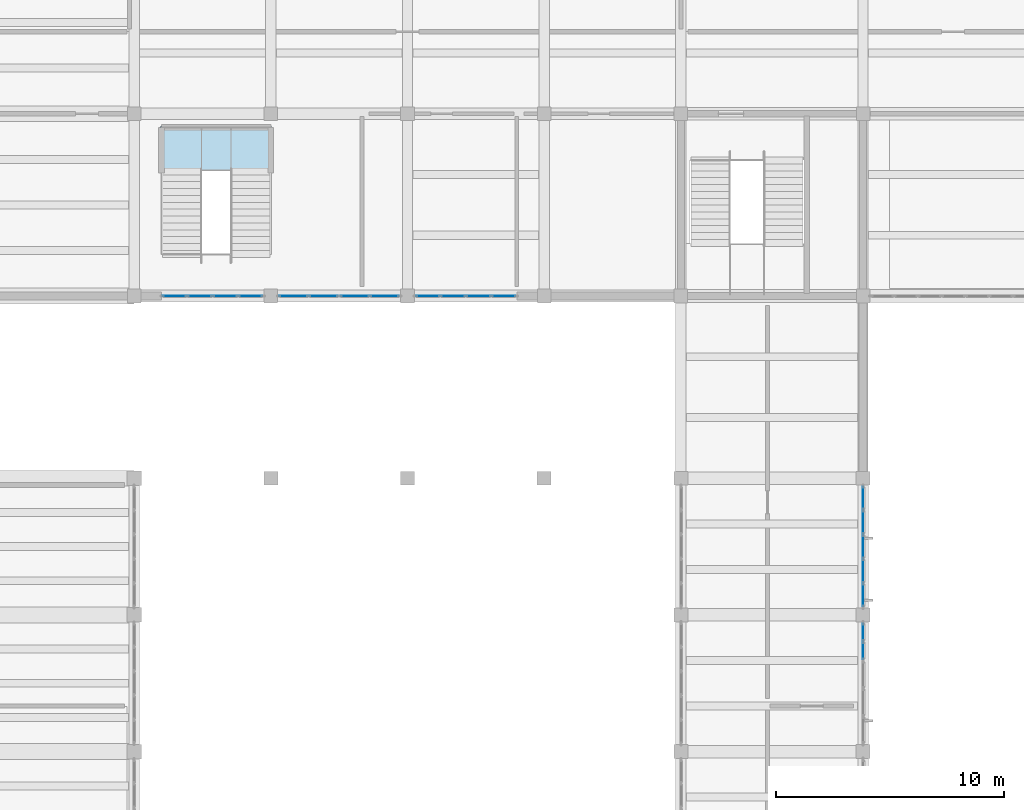
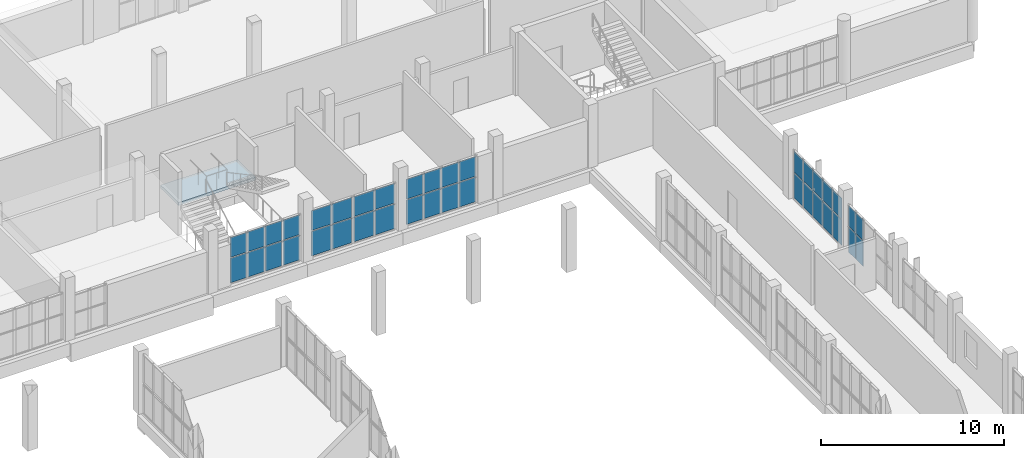
# One storey, part 55 of 85: 38 plates, 1 slab, 7 elements without a shape of their own.
"""IFC4 building model written with IfcOpenShell, lengths in metres."""

from ifc_helpers import new_model, si_unit, direction, frame, origin, origin_2d, place, context, subcontext, project, spatial, polyline, rectangle, outline, extrude, material, layer, layer_set, type_object, element, aggregate, save


model = new_model("IFC4")

# Units and contexts
model_context = context("Model", 3, precision=1e-05, world=origin(), true_north=direction((0.0, 1.0)))
body_context = subcontext(model_context, "Body", "Model", "MODEL_VIEW")
ifc_project = project(units=[si_unit("LENGTHUNIT", "METRE"), si_unit("AREAUNIT", "SQUARE_METRE"), si_unit("VOLUMEUNIT", "CUBIC_METRE"), si_unit("PLANEANGLEUNIT", "RADIAN"), si_unit("MASSUNIT", "GRAM", prefix="KILO")], contexts=[model_context])

# Site, building, storey
site_placement = place(None, origin())
site = spatial("IfcSite", under=ifc_project, at=site_placement, CompositionType="ELEMENT")
building_placement = place(site_placement, origin())
building = spatial("IfcBuilding", under=site, at=building_placement, Name="Solvane Community Centre", CompositionType="ELEMENT")
storey_placement = place(building_placement, frame((0.0, 0.0, 5.39990234375)))
storey = spatial("IfcBuildingStorey", under=building, at=storey_placement, Name="L01", CompositionType="ELEMENT", Elevation=5.39990234375)

# Curtain wall, plates
ifc_material_1 = material(Name="Anodised bronze aluminium AW-6063 T6", Category="aluminium")
ifc_layer_1 = layer(ifc_material_1, 0.18994140625)
ifc_layer_set_1 = layer_set([ifc_layer_1], Name="Anodised bronze aluminium AW-6063 T6")
curtain_wall_type_1 = type_object("IfcCurtainWallType", Name="Boulevard Bronze Vision Curtain Wall [17x32dm]", PredefinedType="NOTDEFINED", material=ifc_layer_set_1)
curtain_wall_1_placement = place(storey_placement, origin())
curtain_wall_1 = element("IfcCurtainWall", 1, at=curtain_wall_1_placement, inside=storey, type_object=curtain_wall_type_1, Name="Curtain Wall CW-L01-680_717-104", PredefinedType="NOTDEFINED")
ifc_material_2 = material(Name="Tempered low-E double glazing", Category="glass")
ifc_layer_2 = layer(ifc_material_2, 0.028076171875)
ifc_layer_set_2 = layer_set([ifc_layer_2], Name="Tempered low-E double glazing")
plate_type_1 = type_object("IfcPlateType", Name="Low-E Vision Glazing Panel 28mm [17x32dm]", PredefinedType="CURTAIN_PANEL", material=ifc_layer_set_2)
plate_1_placement = place(storey_placement, frame((68.0, 71.2451171875, 0.06005859375), z_axis=(0.0, 0.0, 1.0), x_axis=(0.0, -1.0, 0.0)))
plate_1 = element("IfcPlate", 2, at=plate_1_placement, type_object=plate_type_1, Name="CW02-17x32 panel 1.1", PredefinedType="CURTAIN_PANEL", context=body_context, shape_type="SweptSolid", body=[
    extrude(rectangle(XDim=0.75, YDim=0.028076171875, at=origin_2d()), origin(), (0.0, 0.0, 1.0), 1.695068359375),
])
plate_2_placement = place(storey_placement, frame((68.0, 71.2451171875, 1.81494140625), z_axis=(0.0, 0.0, 1.0), x_axis=(0.0, -1.0, 0.0)))
plate_2 = element("IfcPlate", 3, at=plate_2_placement, type_object=plate_type_1, Name="CW02-17x32 panel 1.2", PredefinedType="CURTAIN_PANEL", context=body_context, shape_type="SweptSolid", body=[
    extrude(rectangle(XDim=0.75, YDim=0.028076171875, at=origin_2d()), origin(), (0.0, 0.0, 1.0), 1.3701171875),
])
plate_3_placement = place(storey_placement, frame((68.0, 70.43505859375, 0.06005859375), z_axis=(0.0, 0.0, 1.0), x_axis=(0.0, -1.0, 0.0)))
plate_3 = element("IfcPlate", 4, at=plate_3_placement, type_object=plate_type_1, Name="CW02-17x32 panel 2.1", PredefinedType="CURTAIN_PANEL", context=body_context, shape_type="SweptSolid", body=[
    extrude(rectangle(XDim=0.75, YDim=0.028076171875, at=origin_2d()), origin(), (0.0, 0.0, 1.0), 1.695068359375),
])
plate_4_placement = place(storey_placement, frame((68.0, 70.43505859375, 1.81494140625), z_axis=(0.0, 0.0, 1.0), x_axis=(0.0, -1.0, 0.0)))
plate_4 = element("IfcPlate", 5, at=plate_4_placement, type_object=plate_type_1, Name="CW02-17x32 panel 2.2", PredefinedType="CURTAIN_PANEL", context=body_context, shape_type="SweptSolid", body=[
    extrude(rectangle(XDim=0.75, YDim=0.028076171875, at=origin_2d()), origin(), (0.0, 0.0, 1.0), 1.3701171875),
])
aggregate(curtain_wall_1, [plate_1, plate_2, plate_3, plate_4])

ifc_layer_3 = layer(ifc_material_1, 0.18994140625)
ifc_layer_set_3 = layer_set([ifc_layer_3], Name="Anodised bronze aluminium AW-6063 T6")
curtain_wall_type_2 = type_object("IfcCurtainWallType", Name="Boulevard Bronze Vision Curtain Wall [27x31dm]", PredefinedType="NOTDEFINED", material=ifc_layer_set_3)
curtain_wall_2_placement = place(storey_placement, origin())
curtain_wall_2 = element("IfcCurtainWall", 6, at=curtain_wall_2_placement, inside=storey, type_object=curtain_wall_type_2, Name="Curtain Wall CW-L01-477_860-097", PredefinedType="NOTDEFINED")
ifc_layer_4 = layer(ifc_material_2, 0.028076171875)
ifc_layer_set_4 = layer_set([ifc_layer_4], Name="Tempered low-E double glazing")
plate_type_2 = type_object("IfcPlateType", Name="Low-E Vision Glazing Panel 28mm [27x31dm]", PredefinedType="CURTAIN_PANEL", material=ifc_layer_set_4)
plate_5_placement = place(storey_placement, frame((46.998779296875, 86.0, 0.06005859375), z_axis=(0.0, 0.0, 1.0), x_axis=(-1.0, 0.0, 0.0)))
plate_5 = element("IfcPlate", 7, at=plate_5_placement, type_object=plate_type_2, Name="CW02-27x31 panel 1.1", PredefinedType="CURTAIN_PANEL", context=body_context, shape_type="SweptSolid", body=[
    extrude(rectangle(XDim=1.25244140625, YDim=0.028076171875, at=origin_2d()), origin(), (0.0, 0.0, 1.0), 1.634033203125),
])
plate_6_placement = place(storey_placement, frame((46.998779296875, 86.0, 1.75390625), z_axis=(0.0, 0.0, 1.0), x_axis=(-1.0, 0.0, 0.0)))
plate_6 = element("IfcPlate", 8, at=plate_6_placement, type_object=plate_type_2, Name="CW02-27x31 panel 1.2", PredefinedType="CURTAIN_PANEL", context=body_context, shape_type="SweptSolid", body=[
    extrude(rectangle(XDim=1.25244140625, YDim=0.028076171875, at=origin_2d()), origin(), (0.0, 0.0, 1.0), 1.321044921875),
])
plate_7_placement = place(storey_placement, frame((45.686279296875, 86.0, 0.06005859375), z_axis=(0.0, 0.0, 1.0), x_axis=(-1.0, 0.0, 0.0)))
plate_7 = element("IfcPlate", 9, at=plate_7_placement, type_object=plate_type_2, Name="CW02-27x31 panel 2.1", PredefinedType="CURTAIN_PANEL", context=body_context, shape_type="SweptSolid", body=[
    extrude(rectangle(XDim=1.25244140625, YDim=0.028076171875, at=origin_2d()), origin(), (0.0, 0.0, 1.0), 1.634033203125),
])
plate_8_placement = place(storey_placement, frame((45.686279296875, 86.0, 1.75390625), z_axis=(0.0, 0.0, 1.0), x_axis=(-1.0, 0.0, 0.0)))
plate_8 = element("IfcPlate", 10, at=plate_8_placement, type_object=plate_type_2, Name="CW02-27x31 panel 2.2", PredefinedType="CURTAIN_PANEL", context=body_context, shape_type="SweptSolid", body=[
    extrude(rectangle(XDim=1.25244140625, YDim=0.028076171875, at=origin_2d()), origin(), (0.0, 0.0, 1.0), 1.321044921875),
])
aggregate(curtain_wall_2, [plate_5, plate_6, plate_7, plate_8])

curtain_wall_3_placement = place(storey_placement, origin())
curtain_wall_3 = element("IfcCurtainWall", 11, at=curtain_wall_3_placement, inside=storey, type_object=curtain_wall_type_2, Name="Curtain Wall CW-L01-450_860-098", PredefinedType="NOTDEFINED")
plate_9_placement = place(storey_placement, frame((44.313720703125, 86.0, 0.06005859375), z_axis=(0.0, 0.0, 1.0), x_axis=(-1.0, 0.0, 0.0)))
plate_9 = element("IfcPlate", 12, at=plate_9_placement, type_object=plate_type_2, Name="CW02-27x31 panel 1.1", PredefinedType="CURTAIN_PANEL", context=body_context, shape_type="SweptSolid", body=[
    extrude(rectangle(XDim=1.25244140625, YDim=0.028076171875, at=origin_2d()), origin(), (0.0, 0.0, 1.0), 1.634033203125),
])
plate_10_placement = place(storey_placement, frame((44.313720703125, 86.0, 1.75390625), z_axis=(0.0, 0.0, 1.0), x_axis=(-1.0, 0.0, 0.0)))
plate_10 = element("IfcPlate", 13, at=plate_10_placement, type_object=plate_type_2, Name="CW02-27x31 panel 1.2", PredefinedType="CURTAIN_PANEL", context=body_context, shape_type="SweptSolid", body=[
    extrude(rectangle(XDim=1.25244140625, YDim=0.028076171875, at=origin_2d()), origin(), (0.0, 0.0, 1.0), 1.321044921875),
])
plate_11_placement = place(storey_placement, frame((43.001220703125, 86.0, 0.06005859375), z_axis=(0.0, 0.0, 1.0), x_axis=(-1.0, 0.0, 0.0)))
plate_11 = element("IfcPlate", 14, at=plate_11_placement, type_object=plate_type_2, Name="CW02-27x31 panel 2.1", PredefinedType="CURTAIN_PANEL", context=body_context, shape_type="SweptSolid", body=[
    extrude(rectangle(XDim=1.25244140625, YDim=0.028076171875, at=origin_2d()), origin(), (0.0, 0.0, 1.0), 1.634033203125),
])
plate_12_placement = place(storey_placement, frame((43.001220703125, 86.0, 1.75390625), z_axis=(0.0, 0.0, 1.0), x_axis=(-1.0, 0.0, 0.0)))
plate_12 = element("IfcPlate", 15, at=plate_12_placement, type_object=plate_type_2, Name="CW02-27x31 panel 2.2", PredefinedType="CURTAIN_PANEL", context=body_context, shape_type="SweptSolid", body=[
    extrude(rectangle(XDim=1.25244140625, YDim=0.028076171875, at=origin_2d()), origin(), (0.0, 0.0, 1.0), 1.321044921875),
])
aggregate(curtain_wall_3, [plate_9, plate_10, plate_11, plate_12])

ifc_layer_5 = layer(ifc_material_1, 0.18994140625)
ifc_layer_set_5 = layer_set([ifc_layer_5], Name="Anodised bronze aluminium AW-6063 T6")
curtain_wall_type_3 = type_object("IfcCurtainWallType", Name="Boulevard Bronze Vision Curtain Wall [45x31dm]", PredefinedType="NOTDEFINED", material=ifc_layer_set_5)
curtain_wall_4_placement = place(storey_placement, origin())
curtain_wall_4 = element("IfcCurtainWall", 16, at=curtain_wall_4_placement, inside=storey, type_object=curtain_wall_type_3, Name="Curtain Wall CW-L01-528_860-096", PredefinedType="NOTDEFINED")
ifc_layer_6 = layer(ifc_material_2, 0.028076171875)
ifc_layer_set_6 = layer_set([ifc_layer_6], Name="Tempered low-E double glazing")
plate_type_3 = type_object("IfcPlateType", Name="Low-E Vision Glazing Panel 28mm [45x31dm]", PredefinedType="CURTAIN_PANEL", material=ifc_layer_set_6)
plate_13_placement = place(storey_placement, frame((52.224365234375, 86.0, 0.06005859375), z_axis=(0.0, 0.0, 1.0), x_axis=(-1.0, 0.0, 0.0)))
plate_13 = element("IfcPlate", 17, at=plate_13_placement, type_object=plate_type_3, Name="CW02-45x31 panel 1.1", PredefinedType="CURTAIN_PANEL", context=body_context, shape_type="SweptSolid", body=[
    extrude(rectangle(XDim=1.03125, YDim=0.028076171875, at=origin_2d()), origin(), (0.0, 0.0, 1.0), 1.634033203125),
])
plate_14_placement = place(storey_placement, frame((52.224365234375, 86.0, 1.75390625), z_axis=(0.0, 0.0, 1.0), x_axis=(-1.0, 0.0, 0.0)))
plate_14 = element("IfcPlate", 18, at=plate_14_placement, type_object=plate_type_3, Name="CW02-45x31 panel 1.2", PredefinedType="CURTAIN_PANEL", context=body_context, shape_type="SweptSolid", body=[
    extrude(rectangle(XDim=1.03125, YDim=0.028076171875, at=origin_2d()), origin(), (0.0, 0.0, 1.0), 1.321044921875),
])
plate_15_placement = place(storey_placement, frame((51.1181640625, 86.0, 0.06005859375), z_axis=(0.0, 0.0, 1.0), x_axis=(-1.0, 0.0, 0.0)))
plate_15 = element("IfcPlate", 19, at=plate_15_placement, type_object=plate_type_3, Name="CW02-45x31 panel 2.1", PredefinedType="CURTAIN_PANEL", context=body_context, shape_type="SweptSolid", body=[
    extrude(rectangle(XDim=1.061279296875, YDim=0.028076171875, at=origin_2d()), origin(), (0.0, 0.0, 1.0), 1.634033203125),
])
plate_16_placement = place(storey_placement, frame((51.1181640625, 86.0, 1.75390625), z_axis=(0.0, 0.0, 1.0), x_axis=(-1.0, 0.0, 0.0)))
plate_16 = element("IfcPlate", 20, at=plate_16_placement, type_object=plate_type_3, Name="CW02-45x31 panel 2.2", PredefinedType="CURTAIN_PANEL", context=body_context, shape_type="SweptSolid", body=[
    extrude(rectangle(XDim=1.061279296875, YDim=0.028076171875, at=origin_2d()), origin(), (0.0, 0.0, 1.0), 1.321044921875),
])
plate_17_placement = place(storey_placement, frame((49.996826171875, 86.0, 0.06005859375), z_axis=(0.0, 0.0, 1.0), x_axis=(-1.0, 0.0, 0.0)))
plate_17 = element("IfcPlate", 21, at=plate_17_placement, type_object=plate_type_3, Name="CW02-45x31 panel 3.1", PredefinedType="CURTAIN_PANEL", context=body_context, shape_type="SweptSolid", body=[
    extrude(rectangle(XDim=1.061279296875, YDim=0.028076171875, at=origin_2d()), origin(), (0.0, 0.0, 1.0), 1.634033203125),
])
plate_18_placement = place(storey_placement, frame((49.996826171875, 86.0, 1.75390625), z_axis=(0.0, 0.0, 1.0), x_axis=(-1.0, 0.0, 0.0)))
plate_18 = element("IfcPlate", 22, at=plate_18_placement, type_object=plate_type_3, Name="CW02-45x31 panel 3.2", PredefinedType="CURTAIN_PANEL", context=body_context, shape_type="SweptSolid", body=[
    extrude(rectangle(XDim=1.061279296875, YDim=0.028076171875, at=origin_2d()), origin(), (0.0, 0.0, 1.0), 1.321044921875),
])
plate_19_placement = place(storey_placement, frame((48.890625, 86.0, 0.06005859375), z_axis=(0.0, 0.0, 1.0), x_axis=(-1.0, 0.0, 0.0)))
plate_19 = element("IfcPlate", 23, at=plate_19_placement, type_object=plate_type_3, Name="CW02-45x31 panel 4.1", PredefinedType="CURTAIN_PANEL", context=body_context, shape_type="SweptSolid", body=[
    extrude(rectangle(XDim=1.03125, YDim=0.028076171875, at=origin_2d()), origin(), (0.0, 0.0, 1.0), 1.634033203125),
])
plate_20_placement = place(storey_placement, frame((48.890625, 86.0, 1.75390625), z_axis=(0.0, 0.0, 1.0), x_axis=(-1.0, 0.0, 0.0)))
plate_20 = element("IfcPlate", 24, at=plate_20_placement, type_object=plate_type_3, Name="CW02-45x31 panel 4.2", PredefinedType="CURTAIN_PANEL", context=body_context, shape_type="SweptSolid", body=[
    extrude(rectangle(XDim=1.03125, YDim=0.028076171875, at=origin_2d()), origin(), (0.0, 0.0, 1.0), 1.321044921875),
])
aggregate(curtain_wall_4, [plate_13, plate_14, plate_15, plate_16, plate_17, plate_18, plate_19, plate_20])

curtain_wall_5_placement = place(storey_placement, origin())
curtain_wall_5 = element("IfcCurtainWall", 25, at=curtain_wall_5_placement, inside=storey, type_object=curtain_wall_type_3, Name="Curtain Wall CW-L01-417_860-099", PredefinedType="NOTDEFINED")
plate_21_placement = place(storey_placement, frame((41.109375, 86.0, 0.06005859375), z_axis=(0.0, 0.0, 1.0), x_axis=(-1.0, 0.0, 0.0)))
plate_21 = element("IfcPlate", 26, at=plate_21_placement, type_object=plate_type_3, Name="CW02-45x31 panel 1.1", PredefinedType="CURTAIN_PANEL", context=body_context, shape_type="SweptSolid", body=[
    extrude(rectangle(XDim=1.03125, YDim=0.028076171875, at=origin_2d()), origin(), (0.0, 0.0, 1.0), 1.634033203125),
])
plate_22_placement = place(storey_placement, frame((41.109375, 86.0, 1.75390625), z_axis=(0.0, 0.0, 1.0), x_axis=(-1.0, 0.0, 0.0)))
plate_22 = element("IfcPlate", 27, at=plate_22_placement, type_object=plate_type_3, Name="CW02-45x31 panel 1.2", PredefinedType="CURTAIN_PANEL", context=body_context, shape_type="SweptSolid", body=[
    extrude(rectangle(XDim=1.03125, YDim=0.028076171875, at=origin_2d()), origin(), (0.0, 0.0, 1.0), 1.321044921875),
])
plate_23_placement = place(storey_placement, frame((40.003173828125, 86.0, 0.06005859375), z_axis=(0.0, 0.0, 1.0), x_axis=(-1.0, 0.0, 0.0)))
plate_23 = element("IfcPlate", 28, at=plate_23_placement, type_object=plate_type_3, Name="CW02-45x31 panel 2.1", PredefinedType="CURTAIN_PANEL", context=body_context, shape_type="SweptSolid", body=[
    extrude(rectangle(XDim=1.061279296875, YDim=0.028076171875, at=origin_2d()), origin(), (0.0, 0.0, 1.0), 1.634033203125),
])
plate_24_placement = place(storey_placement, frame((40.003173828125, 86.0, 1.75390625), z_axis=(0.0, 0.0, 1.0), x_axis=(-1.0, 0.0, 0.0)))
plate_24 = element("IfcPlate", 29, at=plate_24_placement, type_object=plate_type_3, Name="CW02-45x31 panel 2.2", PredefinedType="CURTAIN_PANEL", context=body_context, shape_type="SweptSolid", body=[
    extrude(rectangle(XDim=1.061279296875, YDim=0.028076171875, at=origin_2d()), origin(), (0.0, 0.0, 1.0), 1.321044921875),
])
plate_25_placement = place(storey_placement, frame((38.8818359375, 86.0, 0.06005859375), z_axis=(0.0, 0.0, 1.0), x_axis=(-1.0, 0.0, 0.0)))
plate_25 = element("IfcPlate", 30, at=plate_25_placement, type_object=plate_type_3, Name="CW02-45x31 panel 3.1", PredefinedType="CURTAIN_PANEL", context=body_context, shape_type="SweptSolid", body=[
    extrude(rectangle(XDim=1.061279296875, YDim=0.028076171875, at=origin_2d()), origin(), (0.0, 0.0, 1.0), 1.634033203125),
])
plate_26_placement = place(storey_placement, frame((38.8818359375, 86.0, 1.75390625), z_axis=(0.0, 0.0, 1.0), x_axis=(-1.0, 0.0, 0.0)))
plate_26 = element("IfcPlate", 31, at=plate_26_placement, type_object=plate_type_3, Name="CW02-45x31 panel 3.2", PredefinedType="CURTAIN_PANEL", context=body_context, shape_type="SweptSolid", body=[
    extrude(rectangle(XDim=1.061279296875, YDim=0.028076171875, at=origin_2d()), origin(), (0.0, 0.0, 1.0), 1.321044921875),
])
plate_27_placement = place(storey_placement, frame((37.775634765625, 86.0, 0.06005859375), z_axis=(0.0, 0.0, 1.0), x_axis=(-1.0, 0.0, 0.0)))
plate_27 = element("IfcPlate", 32, at=plate_27_placement, type_object=plate_type_3, Name="CW02-45x31 panel 4.1", PredefinedType="CURTAIN_PANEL", context=body_context, shape_type="SweptSolid", body=[
    extrude(rectangle(XDim=1.03125, YDim=0.028076171875, at=origin_2d()), origin(), (0.0, 0.0, 1.0), 1.634033203125),
])
plate_28_placement = place(storey_placement, frame((37.775634765625, 86.0, 1.75390625), z_axis=(0.0, 0.0, 1.0), x_axis=(-1.0, 0.0, 0.0)))
plate_28 = element("IfcPlate", 33, at=plate_28_placement, type_object=plate_type_3, Name="CW02-45x31 panel 4.2", PredefinedType="CURTAIN_PANEL", context=body_context, shape_type="SweptSolid", body=[
    extrude(rectangle(XDim=1.03125, YDim=0.028076171875, at=origin_2d()), origin(), (0.0, 0.0, 1.0), 1.321044921875),
])
aggregate(curtain_wall_5, [plate_21, plate_22, plate_23, plate_24, plate_25, plate_26, plate_27, plate_28])

ifc_layer_7 = layer(ifc_material_1, 0.18994140625)
ifc_layer_set_7 = layer_set([ifc_layer_7], Name="Anodised bronze aluminium AW-6063 T6")
curtain_wall_type_4 = type_object("IfcCurtainWallType", Name="Boulevard Bronze Vision Curtain Wall [54x32dm]", PredefinedType="NOTDEFINED", material=ifc_layer_set_7)
curtain_wall_6_placement = place(storey_placement, origin())
curtain_wall_6 = element("IfcCurtainWall", 34, at=curtain_wall_6_placement, inside=storey, type_object=curtain_wall_type_4, Name="Curtain Wall CW-L01-680_777-103", PredefinedType="NOTDEFINED")
ifc_layer_8 = layer(ifc_material_2, 0.028076171875)
ifc_layer_set_8 = layer_set([ifc_layer_8], Name="Tempered low-E double glazing")
plate_type_4 = type_object("IfcPlateType", Name="Low-E Vision Glazing Panel 28mm [54x32dm]", PredefinedType="CURTAIN_PANEL", material=ifc_layer_set_8)
plate_29_placement = place(storey_placement, frame((68.0, 77.12890625, 0.06005859375), z_axis=(0.0, 0.0, 1.0), x_axis=(0.0, -1.0, 0.0)))
plate_29 = element("IfcPlate", 35, at=plate_29_placement, type_object=plate_type_4, Name="CW02-54x32 panel 1.1", PredefinedType="CURTAIN_PANEL", context=body_context, shape_type="SweptSolid", body=[
    extrude(rectangle(XDim=0.98193359375, YDim=0.028076171875, at=origin_2d()), origin(), (0.0, 0.0, 1.0), 1.695068359375),
])
plate_30_placement = place(storey_placement, frame((68.0, 77.12890625, 1.81494140625), z_axis=(0.0, 0.0, 1.0), x_axis=(0.0, -1.0, 0.0)))
plate_30 = element("IfcPlate", 36, at=plate_30_placement, type_object=plate_type_4, Name="CW02-54x32 panel 1.2", PredefinedType="CURTAIN_PANEL", context=body_context, shape_type="SweptSolid", body=[
    extrude(rectangle(XDim=0.98193359375, YDim=0.028076171875, at=origin_2d()), origin(), (0.0, 0.0, 1.0), 1.3701171875),
])
plate_31_placement = place(storey_placement, frame((68.0, 76.072021484375, 0.06005859375), z_axis=(0.0, 0.0, 1.0), x_axis=(0.0, -1.0, 0.0)))
plate_31 = element("IfcPlate", 37, at=plate_31_placement, type_object=plate_type_4, Name="CW02-54x32 panel 2.1", PredefinedType="CURTAIN_PANEL", context=body_context, shape_type="SweptSolid", body=[
    extrude(rectangle(XDim=1.011962890625, YDim=0.028076171875, at=origin_2d()), origin(), (0.0, 0.0, 1.0), 1.695068359375),
])
plate_32_placement = place(storey_placement, frame((68.0, 76.072021484375, 1.81494140625), z_axis=(0.0, 0.0, 1.0), x_axis=(0.0, -1.0, 0.0)))
plate_32 = element("IfcPlate", 38, at=plate_32_placement, type_object=plate_type_4, Name="CW02-54x32 panel 2.2", PredefinedType="CURTAIN_PANEL", context=body_context, shape_type="SweptSolid", body=[
    extrude(rectangle(XDim=1.011962890625, YDim=0.028076171875, at=origin_2d()), origin(), (0.0, 0.0, 1.0), 1.3701171875),
])
plate_33_placement = place(storey_placement, frame((68.0, 75.0, 0.06005859375), z_axis=(0.0, 0.0, 1.0), x_axis=(0.0, -1.0, 0.0)))
plate_33 = element("IfcPlate", 39, at=plate_33_placement, type_object=plate_type_4, Name="CW02-54x32 panel 3.1", PredefinedType="CURTAIN_PANEL", context=body_context, shape_type="SweptSolid", body=[
    extrude(rectangle(XDim=1.011962890625, YDim=0.028076171875, at=origin_2d()), origin(), (0.0, 0.0, 1.0), 1.695068359375),
])
plate_34_placement = place(storey_placement, frame((68.0, 75.0, 1.81494140625), z_axis=(0.0, 0.0, 1.0), x_axis=(0.0, -1.0, 0.0)))
plate_34 = element("IfcPlate", 40, at=plate_34_placement, type_object=plate_type_4, Name="CW02-54x32 panel 3.2", PredefinedType="CURTAIN_PANEL", context=body_context, shape_type="SweptSolid", body=[
    extrude(rectangle(XDim=1.011962890625, YDim=0.028076171875, at=origin_2d()), origin(), (0.0, 0.0, 1.0), 1.3701171875),
])
plate_35_placement = place(storey_placement, frame((68.0, 73.927978515625, 0.06005859375), z_axis=(0.0, 0.0, 1.0), x_axis=(0.0, -1.0, 0.0)))
plate_35 = element("IfcPlate", 41, at=plate_35_placement, type_object=plate_type_4, Name="CW02-54x32 panel 4.1", PredefinedType="CURTAIN_PANEL", context=body_context, shape_type="SweptSolid", body=[
    extrude(rectangle(XDim=1.011962890625, YDim=0.028076171875, at=origin_2d()), origin(), (0.0, 0.0, 1.0), 1.695068359375),
])
plate_36_placement = place(storey_placement, frame((68.0, 73.927978515625, 1.81494140625), z_axis=(0.0, 0.0, 1.0), x_axis=(0.0, -1.0, 0.0)))
plate_36 = element("IfcPlate", 42, at=plate_36_placement, type_object=plate_type_4, Name="CW02-54x32 panel 4.2", PredefinedType="CURTAIN_PANEL", context=body_context, shape_type="SweptSolid", body=[
    extrude(rectangle(XDim=1.011962890625, YDim=0.028076171875, at=origin_2d()), origin(), (0.0, 0.0, 1.0), 1.3701171875),
])
plate_37_placement = place(storey_placement, frame((68.0, 72.87109375, 0.06005859375), z_axis=(0.0, 0.0, 1.0), x_axis=(0.0, -1.0, 0.0)))
plate_37 = element("IfcPlate", 43, at=plate_37_placement, type_object=plate_type_4, Name="CW02-54x32 panel 5.1", PredefinedType="CURTAIN_PANEL", context=body_context, shape_type="SweptSolid", body=[
    extrude(rectangle(XDim=0.98193359375, YDim=0.028076171875, at=origin_2d()), origin(), (0.0, 0.0, 1.0), 1.695068359375),
])
plate_38_placement = place(storey_placement, frame((68.0, 72.87109375, 1.81494140625), z_axis=(0.0, 0.0, 1.0), x_axis=(0.0, -1.0, 0.0)))
plate_38 = element("IfcPlate", 44, at=plate_38_placement, type_object=plate_type_4, Name="CW02-54x32 panel 5.2", PredefinedType="CURTAIN_PANEL", context=body_context, shape_type="SweptSolid", body=[
    extrude(rectangle(XDim=0.98193359375, YDim=0.028076171875, at=origin_2d()), origin(), (0.0, 0.0, 1.0), 1.3701171875),
])
aggregate(curtain_wall_6, [plate_29, plate_30, plate_31, plate_32, plate_33, plate_34, plate_35, plate_36, plate_37, plate_38])

# Stair, slab
ifc_material_3 = material(Name="Concrete C35/45", Category="concrete")
stair_type = type_object("IfcStairType", Name="RC Two-Flight Escape Stair 1720mm", PredefinedType="TWO_STRAIGHT_RUN_STAIR", material=ifc_material_3)
stair_placement = place(storey_placement, origin())
stair = element("IfcStair", 45, at=stair_placement, inside=storey, type_object=stair_type, Name="Stair STR-NUR-L01", PredefinedType="TWO_STRAIGHT_RUN_STAIR")
ifc_layer_9 = layer(ifc_material_3, 0.199951171875)
ifc_layer_set_9 = layer_set([ifc_layer_9], Name="Concrete C35/45")
slab_type = type_object("IfcSlabType", Name="RC Stair Half-Landing Slab 200mm", PredefinedType="LANDING", material=ifc_layer_set_9)
slab_placement = place(storey_placement, frame((0.0, 0.0, 1.900146484375)))
slab = element("IfcSlab", 46, at=slab_placement, type_object=slab_type, Name="ST-12 landing 1", PredefinedType="LANDING", context=body_context, shape_type="SweptSolid", body=[
    extrude(outline(polyline([(37.159912109375, 91.5), (42.0400390625, 91.5), (42.0400390625, 93.43994140625), (37.159912109375, 93.43994140625), (37.159912109375, 91.5)])), origin(), (0.0, 0.0, 1.0), 0.199951171875),
])
aggregate(stair, [slab])

save(model, "model.ifc")
